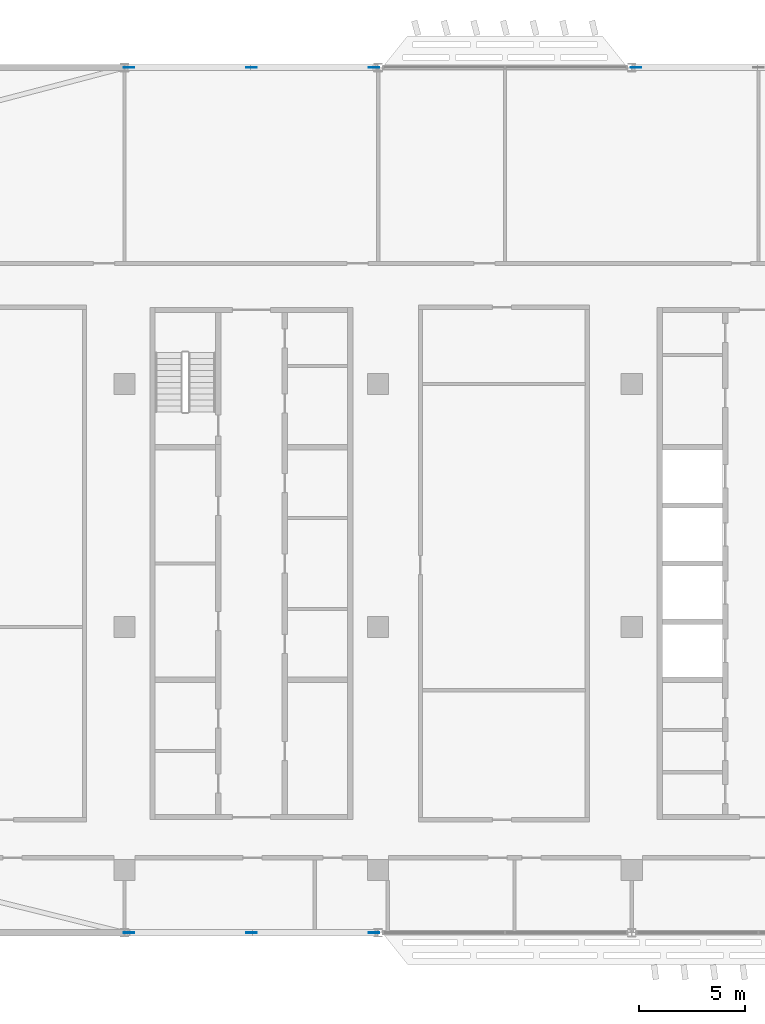
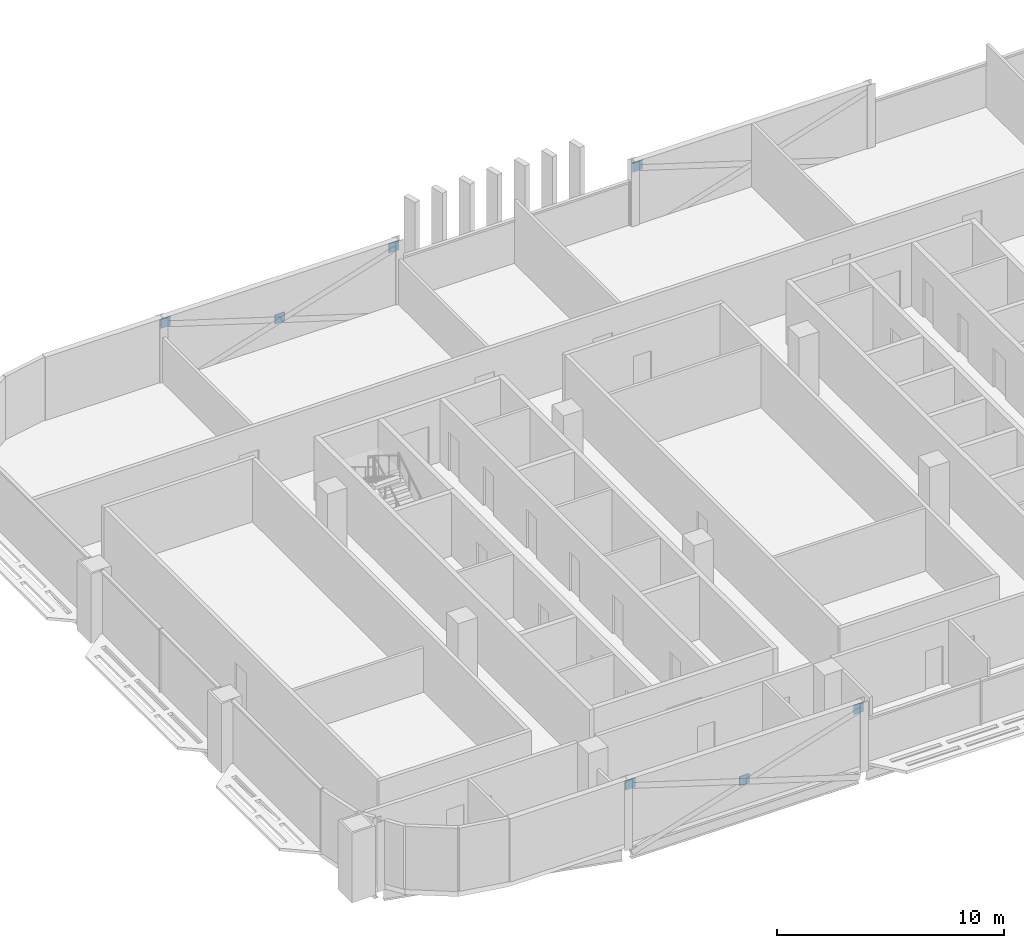
# One storey, part 24 of 33: 7 discrete accessories.
"""IFC4 building model written with IfcOpenShell, lengths in metres."""

from ifc_helpers import new_model, si_unit, direction, frame, origin, origin_2d, place, context, subcontext, project, spatial, rectangle, extrude, material, layer, layer_set, type_object, element, save


model = new_model("IFC4")

# Units and contexts
model_context = context("Model", 3, precision=1e-05, world=origin(), true_north=direction((0.0, 1.0)))
body_context = subcontext(model_context, "Body", "Model", "MODEL_VIEW")
ifc_project = project(units=[si_unit("LENGTHUNIT", "METRE"), si_unit("AREAUNIT", "SQUARE_METRE"), si_unit("VOLUMEUNIT", "CUBIC_METRE"), si_unit("PLANEANGLEUNIT", "RADIAN"), si_unit("MASSUNIT", "GRAM", prefix="KILO")], contexts=[model_context])

# Site, building, storey
site_placement = place(None, origin())
site = spatial("IfcSite", under=ifc_project, at=site_placement, CompositionType="ELEMENT")
building_placement = place(site_placement, origin())
building = spatial("IfcBuilding", under=site, at=building_placement, Name="Mahtab Terrace Research Tower", CompositionType="ELEMENT")
storey_placement = place(building_placement, frame((0.0, 0.0, 255.199951171875)))
storey = spatial("IfcBuildingStorey", under=building, at=storey_placement, Name="L62", CompositionType="ELEMENT", Elevation=255.199951171875)

# Discrete accessories
ifc_material = material(Name="Steel ASTM A992 Gr 50", Category="steel")
ifc_layer = layer(ifc_material, 0.030029296875)
ifc_layer_set = layer_set([ifc_layer], Name="Gusset plate 500x500x30")
discrete_accessory_type = type_object("IfcDiscreteAccessoryType", Name="Gusset plate 500x500x30", PredefinedType="USERDEFINED", material=ifc_layer_set)
for number, where, z_axis, x_axis, name in (
    (1, (-29.800537109375, -14.472900390625, 2.784423828125), (0.0, 0.0, 1.0), (1.0, 0.0, 0.0), "Gusset plate"),
    (2, (-29.800537109375, 26.472900390625, 2.784423828125), (0.0, 0.0, 1.0), (1.0, 0.0, 0.0), "Gusset plate"),
    (3, (-24.0, -14.472900390625, 0.9765625), (0.0, 0.0, 1.0), (1.0, 0.0, 0.0), "Gusset plate"),
    (4, (-24.0, 26.472900390625, 0.9765625), (0.0, 0.0, 1.0), (1.0, 0.0, 0.0), "Gusset plate"),
    (5, (-18.199462890625, -14.472900390625, 2.784423828125), (0.0, 0.0, 1.0), (1.0, 0.0, 0.0), "Gusset plate"),
    (6, (-18.199462890625, 26.472900390625, 2.784423828125), (0.0, 0.0, 1.0), (1.0, 0.0, 0.0), "Gusset plate"),
    (7, (-5.800537109375, 26.472900390625, 2.784423828125), (0.0, 0.0, 1.0), (1.0, 0.0, 0.0), "Gusset plate"),
):
    element("IfcDiscreteAccessory", number, at=place(storey_placement, frame(where, z_axis=z_axis, x_axis=x_axis)), inside=storey, type_object=discrete_accessory_type, Name=name, ObjectType="GUSSET PLATE", PredefinedType="USERDEFINED", context=body_context, shape_type="SweptSolid", body=[
        extrude(rectangle(XDim=0.5, YDim=0.030029296875, at=origin_2d()), origin(), (0.0, 0.0, 1.0), 0.5),
    ])

save(model, "model.ifc")
